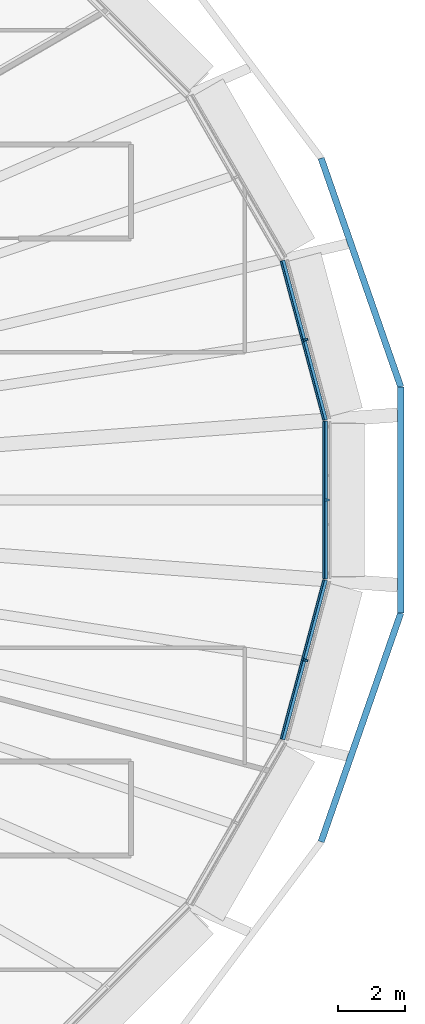
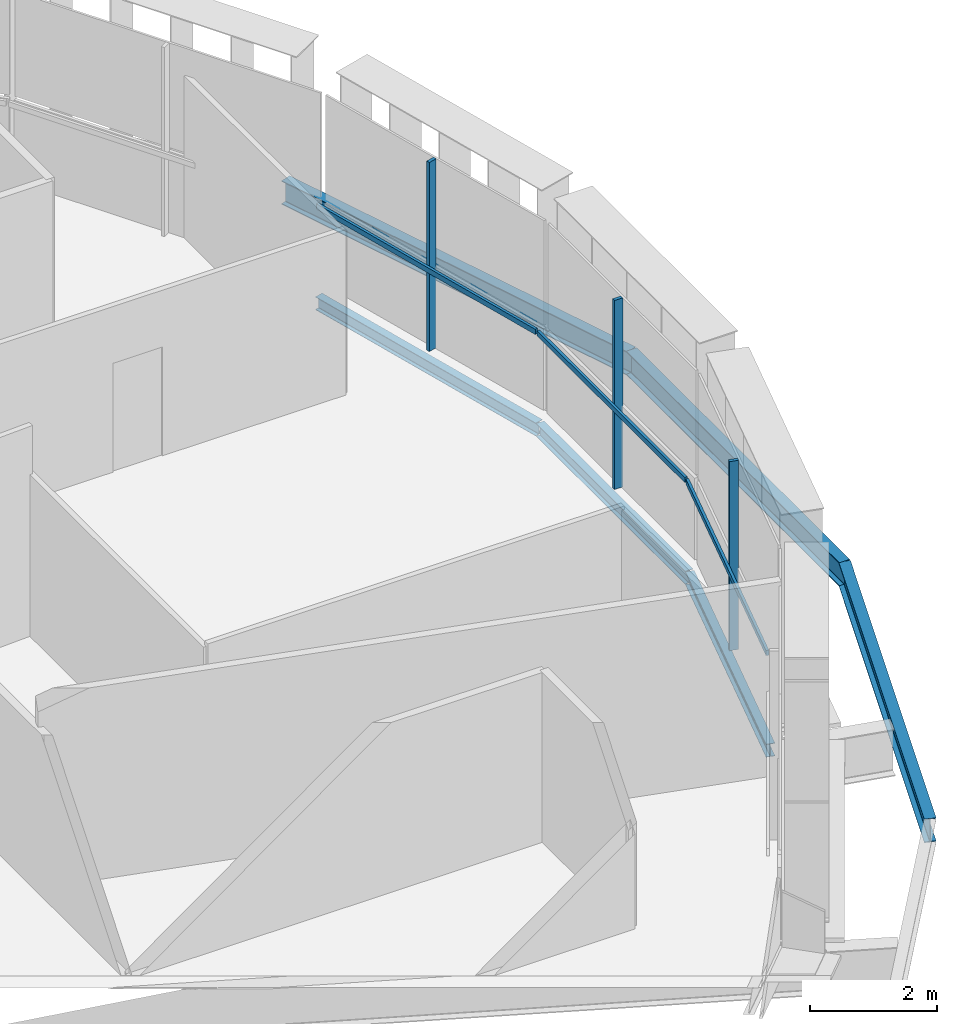
# One storey, part 12 of 25: 6 beams, 6 members, 3 elements without a shape of their own.
"""IFC4 building model written with IfcOpenShell, lengths in metres."""

from ifc_helpers import new_model, si_unit, direction, frame, origin, origin_2d, place, context, subcontext, project, spatial, rectangle, i_section, extrude, material, layer, layer_set, material_profile, profile_set, type_object, element, aggregate, save


model = new_model("IFC4")

# Units and contexts
model_context = context("Model", 3, precision=1e-05, world=origin(), true_north=direction((0.0, 1.0)))
body_context = subcontext(model_context, "Body", "Model", "MODEL_VIEW")
ifc_project = project(units=[si_unit("LENGTHUNIT", "METRE"), si_unit("AREAUNIT", "SQUARE_METRE"), si_unit("VOLUMEUNIT", "CUBIC_METRE"), si_unit("PLANEANGLEUNIT", "RADIAN"), si_unit("MASSUNIT", "GRAM", prefix="KILO")], contexts=[model_context])

# Site, building, storey
site_placement = place(None, origin())
site = spatial("IfcSite", under=ifc_project, at=site_placement, CompositionType="ELEMENT")
building_placement = place(site_placement, origin())
building = spatial("IfcBuilding", under=site, at=building_placement, Name="Sahrelin Media Tower", CompositionType="ELEMENT")
storey_placement = place(building_placement, frame((0.0, 0.0, 106.199951171875)))
storey = spatial("IfcBuildingStorey", under=building, at=storey_placement, Name="L20", CompositionType="ELEMENT", Elevation=106.199951171875)

# Beams
ifc_material_1 = material(Name="Steel S355", Category="steel")
ifc_material_profile_1 = material_profile(ifc_material_1, i_section(OverallWidth=0.14599609375, OverallDepth=0.25146484375, WebThickness=0.006103515625, FlangeThickness=0.008544921875, FilletRadius=0.007568359375, at=origin_2d()), Name="UB 254x146x31")
ifc_profile_set_1 = profile_set([ifc_material_profile_1], Name="Steel S355")
beam_type_1 = type_object("IfcBeamType", Name="Edge beam EB1", PredefinedType="BEAM", material=ifc_profile_set_1)
beam_1_placement = place(storey_placement, frame((31.794189453125, 2.352783203125, -0.275634765625), z_axis=(0.0, -1.0, 0.0), x_axis=(1.0, 0.0, 0.0)))
element("IfcBeam", 1, at=beam_1_placement, inside=storey, type_object=beam_type_1, Name="Edge beam L20-01", PredefinedType="BEAM", context=body_context, shape_type="SweptSolid", body=[
    extrude(i_section(OverallWidth=0.14599609375, OverallDepth=0.25146484375, WebThickness=0.006103515625, FlangeThickness=0.008544921875, FilletRadius=0.007568359375, at=origin_2d()), origin(), (0.0, 0.0, 1.0), 4.70556640625),
])
for number, where, z_axis, x_axis, name in (
    (2, (31.79052734375, -2.381591796875, -0.275634765625), (-0.258785645927, -0.965934774952, 0.0), (0.965934774952, -0.258785645927, 0.0), "Edge beam L20-02"),
    (3, (30.51611328125, 7.138427734375, -0.275634765625), (0.258785645927, -0.965934774952, 0.0), (0.965934774952, 0.258785645927, 0.0), "Edge beam L20-24"),
):
    element("IfcBeam", number, at=place(storey_placement, frame(where, z_axis=z_axis, x_axis=x_axis)), inside=storey, type_object=beam_type_1, Name=name, PredefinedType="BEAM", context=body_context, shape_type="SweptSolid", body=[
        extrude(i_section(OverallWidth=0.14599609375, OverallDepth=0.25146484375, WebThickness=0.006103515625, FlangeThickness=0.008544921875, FilletRadius=0.007568359375, at=origin_2d()), origin(), (0.0, 0.0, 1.0), 4.924560546875),
    ])

# Curtain wall, member
ifc_material_2 = material(Name="Champagne anodised aluminium 6063-T6", Category="aluminium")
ifc_layer = layer(ifc_material_2, 0.14990234375)
ifc_layer_set = layer_set([ifc_layer], Name="Tower ribbon curtain wall")
curtain_wall_type = type_object("IfcCurtainWallType", Name="Tower ribbon curtain wall", PredefinedType="NOTDEFINED", material=ifc_layer_set)
curtain_wall_1_placement = place(storey_placement, frame((31.9443359375, 0.0, 0.0), z_axis=(0.0, 0.0, 1.0), x_axis=(1.0, 0.0, 0.0)))
curtain_wall_1 = element("IfcCurtainWall", 4, at=curtain_wall_1_placement, inside=storey, type_object=curtain_wall_type, Name="L20:CW:L20-00", PredefinedType="NOTDEFINED")
ifc_material_profile_2 = material_profile(ifc_material_2, rectangle(XDim=0.06005859375, YDim=0.14990234375, at=origin_2d()), Name="Mullion 60x150")
ifc_profile_set_2 = profile_set([ifc_material_profile_2], Name="Champagne anodised aluminium 6063-T6")
member_type_1 = type_object("IfcMemberType", Name="Mullion 60x150 CW1", PredefinedType="MULLION", material=ifc_profile_set_2)
member_1_placement = place(storey_placement, frame((31.849365234375, 0.0, 0.0), z_axis=(0.0, 0.0, 1.0), x_axis=(0.0, 1.0, 0.0)))
member_1 = element("IfcMember", 5, at=member_1_placement, type_object=member_type_1, Name="L20:CWM:L20-00", PredefinedType="MULLION", context=body_context, shape_type="SweptSolid", body=[
    extrude(rectangle(XDim=0.06005859375, YDim=0.14990234375, at=origin_2d()), origin(), (0.0, 0.0, 1.0), 3.648681640625),
])

curtain_wall_2_placement = place(storey_placement, frame((31.298095703125, 4.798828125, 0.0), z_axis=(0.0, 0.0, 1.0), x_axis=(1.0, 0.0, 0.0)))
curtain_wall_2 = element("IfcCurtainWall", 6, at=curtain_wall_2_placement, inside=storey, type_object=curtain_wall_type, Name="L20:CW:L20-01", PredefinedType="NOTDEFINED")
member_2_placement = place(storey_placement, frame((31.206298828125, 4.774169921875, 0.0), z_axis=(0.0, 0.0, 1.0), x_axis=(-0.2588106158, 0.965928084875, 0.0)))
member_2 = element("IfcMember", 7, at=member_2_placement, type_object=member_type_1, Name="L20:CWM:L20-01", PredefinedType="MULLION", context=body_context, shape_type="SweptSolid", body=[
    extrude(rectangle(XDim=0.06005859375, YDim=0.14990234375, at=origin_2d()), origin(), (0.0, 0.0, 1.0), 3.648681640625),
])

curtain_wall_3_placement = place(storey_placement, frame((31.298095703125, -4.798583984375, 0.0), z_axis=(0.0, 0.0, 1.0), x_axis=(1.0, 0.0, 0.0)))
curtain_wall_3 = element("IfcCurtainWall", 8, at=curtain_wall_3_placement, inside=storey, type_object=curtain_wall_type, Name="L20:CW:L20-23", PredefinedType="NOTDEFINED")
member_3_placement = place(storey_placement, frame((31.206298828125, -4.774169921875, 0.0), z_axis=(0.0, 0.0, 1.0), x_axis=(0.2588106158, 0.965928084875, 0.0)))
member_3 = element("IfcMember", 9, at=member_3_placement, type_object=member_type_1, Name="L20:CWM:L20-23", PredefinedType="MULLION", context=body_context, shape_type="SweptSolid", body=[
    extrude(rectangle(XDim=0.06005859375, YDim=0.14990234375, at=origin_2d()), origin(), (0.0, 0.0, 1.0), 3.648681640625),
])

# Beams
ifc_material_profile_3 = material_profile(ifc_material_1, i_section(OverallWidth=0.1904296875, OverallDepth=0.45703125, WebThickness=0.009033203125, FlangeThickness=0.014404296875, FilletRadius=0.01025390625, at=origin_2d()), Name="UB 457x191x74")
ifc_profile_set_3 = profile_set([ifc_material_profile_3], Name="Steel S355")
beam_type_2 = type_object("IfcBeamType", Name="Tie chord TC5", PredefinedType="BEAM", material=ifc_profile_set_3)
for number, where, z_axis, x_axis, name in (
    (10, (34.045654296875, 3.366455078125, -0.37841796875), (-0.32878546378, 0.944404637222, 0.0), (-0.944404637222, -0.32878546378, 0.0), "Tie chord L20-01"),
    (11, (31.671142578125, -10.18701171875, -0.37841796875), (0.32878546378, 0.944404637222, 0.0), (-0.944404637222, 0.32878546378, 0.0), "Tie chord L20-23"),
):
    element("IfcBeam", number, at=place(storey_placement, frame(where, z_axis=z_axis, x_axis=x_axis)), inside=storey, type_object=beam_type_2, Name=name, PredefinedType="BEAM", context=body_context, shape_type="SweptSolid", body=[
        extrude(i_section(OverallWidth=0.1904296875, OverallDepth=0.45703125, WebThickness=0.009033203125, FlangeThickness=0.014404296875, FilletRadius=0.01025390625, at=origin_2d()), origin(), (0.0, 0.0, 1.0), 7.22216796875),
    ])
beam_2_placement = place(storey_placement, frame((34.045654296875, -3.366455078125, -0.37841796875), z_axis=(0.0, 1.0, 0.0), x_axis=(-1.0, 0.0, 0.0)))
element("IfcBeam", 12, at=beam_2_placement, inside=storey, type_object=beam_type_2, Name="Tie chord L20-24", PredefinedType="BEAM", context=body_context, shape_type="SweptSolid", body=[
    extrude(i_section(OverallWidth=0.1904296875, OverallDepth=0.45703125, WebThickness=0.009033203125, FlangeThickness=0.014404296875, FilletRadius=0.01025390625, at=origin_2d()), origin(), (0.0, 0.0, 1.0), 6.73291015625),
])

# Member
ifc_material_profile_4 = material_profile(ifc_material_2, rectangle(XDim=0.050048828125, YDim=0.10009765625, at=origin_2d()), Name="Transom 50x100")
ifc_profile_set_4 = profile_set([ifc_material_profile_4], Name="Champagne anodised aluminium 6063-T6")
member_type_2 = type_object("IfcMemberType", Name="Transom 50x100 CW1", PredefinedType="USERDEFINED", material=ifc_profile_set_4)
member_4_placement = place(storey_placement, frame((31.749267578125, -2.337158203125, 1.60009765625), z_axis=(0.0, 1.0, 0.0), x_axis=(-1.0, 0.0, 0.0)))
member_4 = element("IfcMember", 13, at=member_4_placement, type_object=member_type_2, Name="L20:CWT:L20-00", ObjectType="TRANSOM", PredefinedType="USERDEFINED", context=body_context, shape_type="SweptSolid", body=[
    extrude(rectangle(XDim=0.050048828125, YDim=0.10009765625, at=origin_2d()), origin(), (0.0, 0.0, 1.0), 4.67431640625),
])

aggregate(curtain_wall_1, [member_1, member_4])

member_5_placement = place(storey_placement, frame((31.742919921875, 2.385009765625, 1.60009765625), z_axis=(-0.258795938733, 0.965932017326, 0.0), x_axis=(-0.965932017326, -0.258795938733, 0.0)))
member_5 = element("IfcMember", 14, at=member_5_placement, type_object=member_type_2, Name="L20:CWT:L20-01", ObjectType="TRANSOM", PredefinedType="USERDEFINED", context=body_context, shape_type="SweptSolid", body=[
    extrude(rectangle(XDim=0.050048828125, YDim=0.10009765625, at=origin_2d()), origin(), (0.0, 0.0, 1.0), 4.893310546875),
])

aggregate(curtain_wall_2, [member_2, member_5])

member_6_placement = place(storey_placement, frame((30.4765625, -7.111572265625, 1.60009765625), z_axis=(0.258795938733, 0.965932017326, 0.0), x_axis=(-0.965932017326, 0.258795938733, 0.0)))
member_6 = element("IfcMember", 15, at=member_6_placement, type_object=member_type_2, Name="L20:CWT:L20-23", ObjectType="TRANSOM", PredefinedType="USERDEFINED", context=body_context, shape_type="SweptSolid", body=[
    extrude(rectangle(XDim=0.050048828125, YDim=0.10009765625, at=origin_2d()), origin(), (0.0, 0.0, 1.0), 4.893310546875),
])

aggregate(curtain_wall_3, [member_3, member_6])

save(model, "model.ifc")
